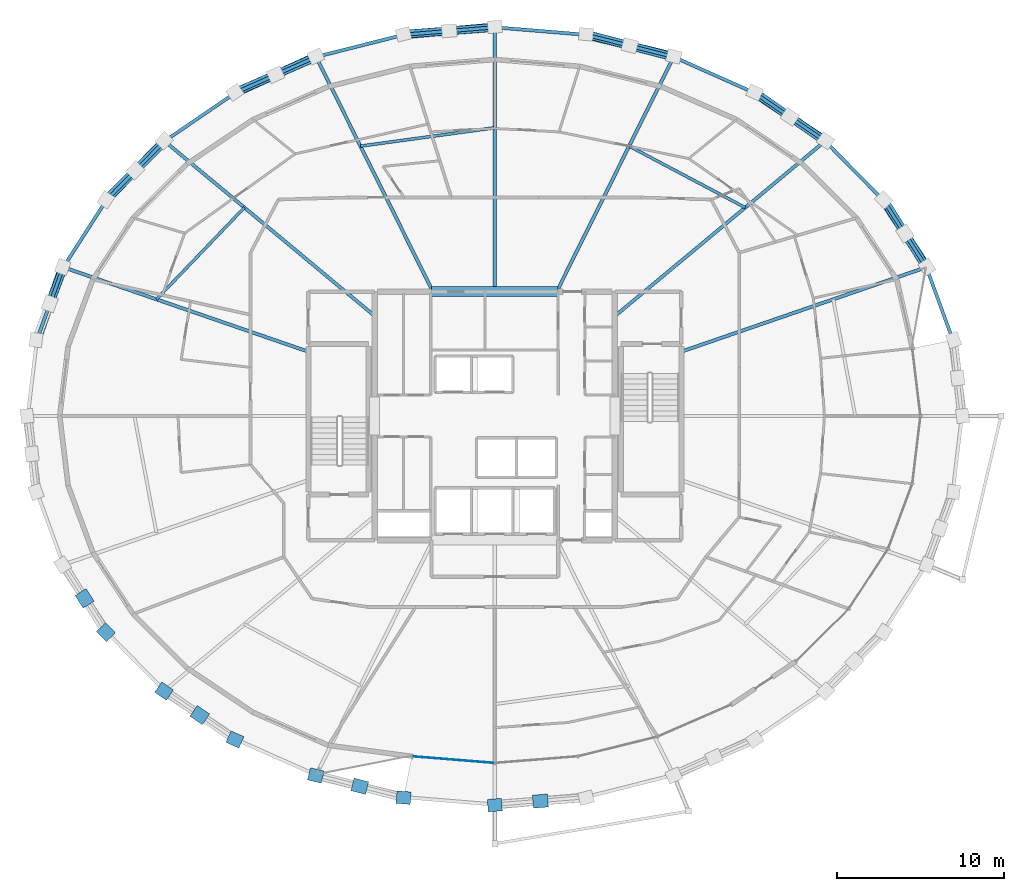
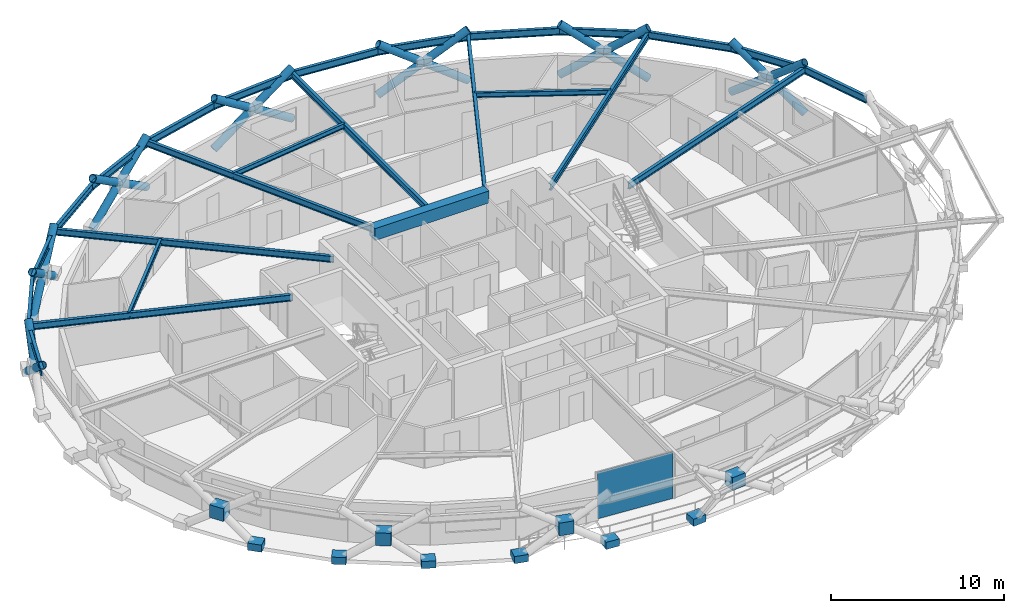
# One storey, part 12 of 20: 25 beams, 20 members, 11 plates, 1 element without a shape of its own.
"""IFC4 building model written with IfcOpenShell, lengths in metres."""

from ifc_helpers import new_model, si_unit, direction, frame, origin, origin_2d, place, context, subcontext, project, spatial, rectangle, hollow_circle, i_section, extrude, material, layer, layer_set, material_profile, profile_set, type_object, element, aggregate, save


model = new_model("IFC4")

# Units and contexts
model_context = context("Model", 3, precision=1e-05, world=origin(), true_north=direction((0.0, 1.0)))
body_context = subcontext(model_context, "Body", "Model", "MODEL_VIEW")
ifc_project = project(units=[si_unit("LENGTHUNIT", "METRE"), si_unit("AREAUNIT", "SQUARE_METRE"), si_unit("VOLUMEUNIT", "CUBIC_METRE"), si_unit("PLANEANGLEUNIT", "RADIAN"), si_unit("MASSUNIT", "GRAM", prefix="KILO")], contexts=[model_context])

# Site, building, storey
site_placement = place(None, origin())
site = spatial("IfcSite", under=ifc_project, at=site_placement, CompositionType="ELEMENT")
building_placement = place(site_placement, origin())
building = spatial("IfcBuilding", under=site, at=building_placement, Name="Veldorina Hangang Commons", CompositionType="ELEMENT")
storey_placement = place(building_placement, frame((0.0, 0.0, 171.199951171875)))
storey = spatial("IfcBuildingStorey", under=building, at=storey_placement, Name="L44", CompositionType="ELEMENT", Elevation=171.199951171875)

# Beams
ifc_material_1 = material(Name="Concrete C60/75", Category="concrete")
ifc_material_profile_1 = material_profile(ifc_material_1, rectangle(XDim=0.60009765625, YDim=0.85009765625, at=origin_2d()), Name="RC-CB-600x850")
ifc_profile_set_1 = profile_set([ifc_material_profile_1], Name="Concrete C60/75")
beam_type_1 = type_object("IfcBeamType", Name="BM-CB850", PredefinedType="LINTEL", material=ifc_profile_set_1)
beam_1_placement = place(storey_placement, frame((28.199951171875, 31.449951171875, 2.925048828125), z_axis=(1.0, 0.0, 0.0), x_axis=(0.0, 1.0, 0.0)))
element("IfcBeam", 1, at=beam_1_placement, inside=storey, type_object=beam_type_1, Name="L44 north core coupling beam", PredefinedType="LINTEL", context=body_context, shape_type="SweptSolid", body=[
    extrude(rectangle(XDim=0.60009765625, YDim=0.85009765625, at=origin_2d()), origin(), (0.0, 0.0, 1.0), 7.60009765625),
])
ifc_material_2 = material(Name="Steel SM355-TMC", Category="steel")
ifc_material_profile_2 = material_profile(ifc_material_2, i_section(OverallWidth=0.199951171875, OverallDepth=0.449951171875, WebThickness=0.009033203125, FlangeThickness=0.013916015625, FilletRadius=0.01611328125, at=origin_2d()), Name="H-450x200x9x14")
ifc_profile_set_2 = profile_set([ifc_material_profile_2], Name="Steel SM355-TMC")
beam_type_2 = type_object("IfcBeamType", Name="BM-FG450", PredefinedType="BEAM", material=ifc_profile_set_2)
beam_2_placement = place(storey_placement, frame((43.179931640625, 27.853515625, 3.125), z_axis=(0.945422212633, 0.325847878403, 0.0), x_axis=(-0.325847878403, 0.945422212633, 0.0)))
element("IfcBeam", 2, at=beam_2_placement, inside=storey, type_object=beam_type_2, Name="L44 radial floor girder 02", PredefinedType="BEAM", context=body_context, shape_type="SweptSolid", body=[
    extrude(i_section(OverallWidth=0.199951171875, OverallDepth=0.449951171875, WebThickness=0.009033203125, FlangeThickness=0.013916015625, FilletRadius=0.01611328125, at=origin_2d()), origin(), (0.0, 0.0, 1.0), 15.543212890625),
])
beam_3_placement = place(storey_placement, frame((39.199951171875, 29.9912109375, 3.125), z_axis=(0.768681197579, 0.639632094636, 0.0), x_axis=(-0.639632094636, 0.768681197579, 0.0)))
element("IfcBeam", 3, at=beam_3_placement, inside=storey, type_object=beam_type_2, Name="L44 radial floor girder 03", PredefinedType="BEAM", context=body_context, shape_type="SweptSolid", body=[
    extrude(i_section(OverallWidth=0.199951171875, OverallDepth=0.449951171875, WebThickness=0.009033203125, FlangeThickness=0.013916015625, FilletRadius=0.01611328125, at=origin_2d()), origin(), (0.0, 0.0, 1.0), 16.396484375),
])
beam_4_placement = place(storey_placement, frame((35.70849609375, 31.449951171875, 3.125), z_axis=(0.445617236074, 0.895223591576, 0.0), x_axis=(-0.895223591576, 0.445617236074, 0.0)))
element("IfcBeam", 4, at=beam_4_placement, inside=storey, type_object=beam_type_2, Name="L44 radial floor girder 04", PredefinedType="BEAM", context=body_context, shape_type="SweptSolid", body=[
    extrude(i_section(OverallWidth=0.199951171875, OverallDepth=0.449951171875, WebThickness=0.009033203125, FlangeThickness=0.013916015625, FilletRadius=0.01611328125, at=origin_2d()), origin(), (0.0, 0.0, 1.0), 15.728759765625),
])
beam_5_placement = place(storey_placement, frame((32.0, 31.449951171875, 3.125), z_axis=(0.0, 1.0, 0.0), x_axis=(-1.0, 0.0, 0.0)))
element("IfcBeam", 5, at=beam_5_placement, inside=storey, type_object=beam_type_2, Name="L44 radial floor girder 05", PredefinedType="BEAM", context=body_context, shape_type="SweptSolid", body=[
    extrude(i_section(OverallWidth=0.199951171875, OverallDepth=0.449951171875, WebThickness=0.009033203125, FlangeThickness=0.013916015625, FilletRadius=0.01611328125, at=origin_2d()), origin(), (0.0, 0.0, 1.0), 15.854736328125),
])
beam_6_placement = place(storey_placement, frame((28.29150390625, 31.449951171875, 3.125), z_axis=(-0.445617236074, 0.895223591576, 0.0), x_axis=(-0.895223591576, -0.445617236074, 0.0)))
element("IfcBeam", 6, at=beam_6_placement, inside=storey, type_object=beam_type_2, Name="L44 radial floor girder 06", PredefinedType="BEAM", context=body_context, shape_type="SweptSolid", body=[
    extrude(i_section(OverallWidth=0.199951171875, OverallDepth=0.449951171875, WebThickness=0.009033203125, FlangeThickness=0.013916015625, FilletRadius=0.01611328125, at=origin_2d()), origin(), (0.0, 0.0, 1.0), 15.728759765625),
])
beam_7_placement = place(storey_placement, frame((24.800048828125, 29.9912109375, 3.125), z_axis=(-0.768681197579, 0.639632094636, 0.0), x_axis=(-0.639632094636, -0.768681197579, 0.0)))
element("IfcBeam", 7, at=beam_7_placement, inside=storey, type_object=beam_type_2, Name="L44 radial floor girder 07", PredefinedType="BEAM", context=body_context, shape_type="SweptSolid", body=[
    extrude(i_section(OverallWidth=0.199951171875, OverallDepth=0.449951171875, WebThickness=0.009033203125, FlangeThickness=0.013916015625, FilletRadius=0.01611328125, at=origin_2d()), origin(), (0.0, 0.0, 1.0), 16.396484375),
])
beam_8_placement = place(storey_placement, frame((20.820068359375, 27.853515625, 3.125), z_axis=(-0.945422212633, 0.325847878403, 0.0), x_axis=(-0.325847878403, -0.945422212633, 0.0)))
element("IfcBeam", 8, at=beam_8_placement, inside=storey, type_object=beam_type_2, Name="L44 radial floor girder 08", PredefinedType="BEAM", context=body_context, shape_type="SweptSolid", body=[
    extrude(i_section(OverallWidth=0.199951171875, OverallDepth=0.449951171875, WebThickness=0.009033203125, FlangeThickness=0.013916015625, FilletRadius=0.01611328125, at=origin_2d()), origin(), (0.0, 0.0, 1.0), 15.543212890625),
])
ifc_material_profile_3 = material_profile(ifc_material_2, i_section(OverallWidth=0.175048828125, OverallDepth=0.35009765625, WebThickness=0.007080078125, FlangeThickness=0.010986328125, FilletRadius=0.012939453125, at=origin_2d()), Name="H-350x175x7x11")
ifc_profile_set_3 = profile_set([ifc_material_profile_3], Name="Steel SM355-TMC")
beam_type_3 = type_object("IfcBeamType", Name="BM-JST350", PredefinedType="JOIST", material=ifc_profile_set_3)
beam_9_placement = place(storey_placement, frame((47.014404296875, 36.49365234375, 3.175048828125), z_axis=(-0.883710996813, 0.468032984001, 0.0), x_axis=(-0.468032984001, -0.883710996813, 0.0)))
element("IfcBeam", 9, at=beam_9_placement, inside=storey, type_object=beam_type_3, Name="L44 secondary floor joist 03", PredefinedType="JOIST", context=body_context, shape_type="SweptSolid", body=[
    extrude(i_section(OverallWidth=0.175048828125, OverallDepth=0.35009765625, WebThickness=0.007080078125, FlangeThickness=0.010986328125, FilletRadius=0.012939453125, at=origin_2d()), origin(), (0.0, 0.0, 1.0), 7.876220703125),
])
beam_10_placement = place(storey_placement, frame((32.0, 41.27978515625, 3.175048828125), z_axis=(-0.990804563945, -0.135300835422, 0.0), x_axis=(0.135300835422, -0.990804563945, 0.0)))
element("IfcBeam", 10, at=beam_10_placement, inside=storey, type_object=beam_type_3, Name="L44 secondary floor joist 05", PredefinedType="JOIST", context=body_context, shape_type="SweptSolid", body=[
    extrude(i_section(OverallWidth=0.175048828125, OverallDepth=0.35009765625, WebThickness=0.007080078125, FlangeThickness=0.010986328125, FilletRadius=0.012939453125, at=origin_2d()), origin(), (0.0, 0.0, 1.0), 8.12890625),
])
beam_11_placement = place(storey_placement, frame((16.985595703125, 36.49365234375, 3.175048828125), z_axis=(-0.692283743029, -0.72162540084, 0.0), x_axis=(0.72162540084, -0.692283743029, 0.0)))
element("IfcBeam", 11, at=beam_11_placement, inside=storey, type_object=beam_type_3, Name="L44 secondary floor joist 07", PredefinedType="JOIST", context=body_context, shape_type="SweptSolid", body=[
    extrude(i_section(OverallWidth=0.175048828125, OverallDepth=0.35009765625, WebThickness=0.007080078125, FlangeThickness=0.010986328125, FilletRadius=0.012939453125, at=origin_2d()), origin(), (0.0, 0.0, 1.0), 7.62158203125),
])
ifc_material_3 = material(Name="Steel SM420-TMC", Category="steel")
ifc_material_profile_4 = material_profile(ifc_material_3, i_section(OverallWidth=0.199951171875, OverallDepth=0.5, WebThickness=0.010009765625, FlangeThickness=0.01611328125, FilletRadius=0.01611328125, at=origin_2d()), Name="H-500x200x10x16")
ifc_profile_set_4 = profile_set([ifc_material_profile_4], Name="Steel SM420-TMC")
beam_type_4 = type_object("IfcBeamType", Name="BM-RB500", PredefinedType="BEAM", material=ifc_profile_set_4)
beam_12_placement = place(storey_placement, frame((59.468505859375, 28.54638671875, 3.10009765625), z_axis=(-0.342501226622, 0.939517381299, 0.0), x_axis=(-0.939517381299, -0.342501226622, 0.0)))
element("IfcBeam", 12, at=beam_12_placement, inside=storey, type_object=beam_type_4, Name="L44 perimeter hoop ring beam 01", PredefinedType="BEAM", context=body_context, shape_type="SweptSolid", body=[
    extrude(i_section(OverallWidth=0.199951171875, OverallDepth=0.5, WebThickness=0.010009765625, FlangeThickness=0.01611328125, FilletRadius=0.01611328125, at=origin_2d()), origin(), (0.0, 0.0, 1.0), 4.6533203125),
])
beam_13_placement = place(storey_placement, frame((57.874755859375, 32.918212890625, 3.10009765625), z_axis=(-0.540443205104, 0.841380497787, 0.0), x_axis=(-0.841380497787, -0.540443205104, 0.0)))
element("IfcBeam", 13, at=beam_13_placement, inside=storey, type_object=beam_type_4, Name="L44 perimeter hoop ring beam 02", PredefinedType="BEAM", context=body_context, shape_type="SweptSolid", body=[
    extrude(i_section(OverallWidth=0.199951171875, OverallDepth=0.5, WebThickness=0.010009765625, FlangeThickness=0.01611328125, FilletRadius=0.01611328125, at=origin_2d()), origin(), (0.0, 0.0, 1.0), 4.788818359375),
])
beam_14_placement = place(storey_placement, frame((55.28662109375, 36.947509765625, 3.10009765625), z_axis=(-0.702192292569, 0.711987348382, 0.0), x_axis=(-0.711987348382, -0.702192292569, 0.0)))
element("IfcBeam", 14, at=beam_14_placement, inside=storey, type_object=beam_type_4, Name="L44 perimeter hoop ring beam 03", PredefinedType="BEAM", context=body_context, shape_type="SweptSolid", body=[
    extrude(i_section(OverallWidth=0.199951171875, OverallDepth=0.5, WebThickness=0.010009765625, FlangeThickness=0.01611328125, FilletRadius=0.01611328125, at=origin_2d()), origin(), (0.0, 0.0, 1.0), 4.9599609375),
])
beam_15_placement = place(storey_placement, frame((51.8037109375, 40.47900390625, 3.10009765625), z_axis=(-0.82580799699, 0.563951373886, 0.0), x_axis=(-0.563951373886, -0.82580799699, 0.0)))
element("IfcBeam", 15, at=beam_15_placement, inside=storey, type_object=beam_type_4, Name="L44 perimeter hoop ring beam 04", PredefinedType="BEAM", context=body_context, shape_type="SweptSolid", body=[
    extrude(i_section(OverallWidth=0.199951171875, OverallDepth=0.5, WebThickness=0.010009765625, FlangeThickness=0.01611328125, FilletRadius=0.01611328125, at=origin_2d()), origin(), (0.0, 0.0, 1.0), 5.13916015625),
])
beam_16_placement = place(storey_placement, frame((47.559814453125, 43.377197265625, 3.10009765625), z_axis=(-0.913710836046, 0.406364993685, 0.0), x_axis=(-0.406364993685, -0.913710836046, 0.0)))
element("IfcBeam", 16, at=beam_16_placement, inside=storey, type_object=beam_type_4, Name="L44 perimeter hoop ring beam 05", PredefinedType="BEAM", context=body_context, shape_type="SweptSolid", body=[
    extrude(i_section(OverallWidth=0.199951171875, OverallDepth=0.5, WebThickness=0.010009765625, FlangeThickness=0.01611328125, FilletRadius=0.01611328125, at=origin_2d()), origin(), (0.0, 0.0, 1.0), 5.299560546875),
])
beam_17_placement = place(storey_placement, frame((42.717529296875, 45.53076171875, 3.10009765625), z_axis=(-0.969586031209, 0.244750746853, 0.0), x_axis=(-0.244750746853, -0.969586031209, 0.0)))
element("IfcBeam", 17, at=beam_17_placement, inside=storey, type_object=beam_type_4, Name="L44 perimeter hoop ring beam 06", PredefinedType="BEAM", context=body_context, shape_type="SweptSolid", body=[
    extrude(i_section(OverallWidth=0.199951171875, OverallDepth=0.5, WebThickness=0.010009765625, FlangeThickness=0.01611328125, FilletRadius=0.01611328125, at=origin_2d()), origin(), (0.0, 0.0, 1.0), 5.41845703125),
])
for number, where, z_axis, x_axis, name in (
    (18, (37.4638671875, 46.85693359375, 3.10009765625), (-0.996659066529, 0.08167438463, 0.0), (-0.08167438463, -0.996659066529, 0.0), "L44 perimeter hoop ring beam 07"),
    (19, (32.0, 47.3046875, 3.10009765625), (-0.996659066529, -0.08167438463, 0.0), (0.08167438463, -0.996659066529, 0.0), "L44 perimeter hoop ring beam 08"),
):
    element("IfcBeam", number, at=place(storey_placement, frame(where, z_axis=z_axis, x_axis=x_axis)), inside=storey, type_object=beam_type_4, Name=name, PredefinedType="BEAM", context=body_context, shape_type="SweptSolid", body=[
        extrude(i_section(OverallWidth=0.199951171875, OverallDepth=0.5, WebThickness=0.010009765625, FlangeThickness=0.01611328125, FilletRadius=0.01611328125, at=origin_2d()), origin(), (0.0, 0.0, 1.0), 5.482177734375),
    ])
beam_18_placement = place(storey_placement, frame((26.5361328125, 46.85693359375, 3.10009765625), z_axis=(-0.969586031209, -0.244750746853, 0.0), x_axis=(0.244750746853, -0.969586031209, 0.0)))
element("IfcBeam", 20, at=beam_18_placement, inside=storey, type_object=beam_type_4, Name="L44 perimeter hoop ring beam 09", PredefinedType="BEAM", context=body_context, shape_type="SweptSolid", body=[
    extrude(i_section(OverallWidth=0.199951171875, OverallDepth=0.5, WebThickness=0.010009765625, FlangeThickness=0.01611328125, FilletRadius=0.01611328125, at=origin_2d()), origin(), (0.0, 0.0, 1.0), 5.41845703125),
])
beam_19_placement = place(storey_placement, frame((21.282470703125, 45.53076171875, 3.10009765625), z_axis=(-0.913710836046, -0.406364993685, 0.0), x_axis=(0.406364993685, -0.913710836046, 0.0)))
element("IfcBeam", 21, at=beam_19_placement, inside=storey, type_object=beam_type_4, Name="L44 perimeter hoop ring beam 10", PredefinedType="BEAM", context=body_context, shape_type="SweptSolid", body=[
    extrude(i_section(OverallWidth=0.199951171875, OverallDepth=0.5, WebThickness=0.010009765625, FlangeThickness=0.01611328125, FilletRadius=0.01611328125, at=origin_2d()), origin(), (0.0, 0.0, 1.0), 5.299560546875),
])
beam_20_placement = place(storey_placement, frame((16.440185546875, 43.377197265625, 3.10009765625), z_axis=(-0.82580799699, -0.563951373886, 0.0), x_axis=(0.563951373886, -0.82580799699, 0.0)))
element("IfcBeam", 22, at=beam_20_placement, inside=storey, type_object=beam_type_4, Name="L44 perimeter hoop ring beam 11", PredefinedType="BEAM", context=body_context, shape_type="SweptSolid", body=[
    extrude(i_section(OverallWidth=0.199951171875, OverallDepth=0.5, WebThickness=0.010009765625, FlangeThickness=0.01611328125, FilletRadius=0.01611328125, at=origin_2d()), origin(), (0.0, 0.0, 1.0), 5.13916015625),
])
beam_21_placement = place(storey_placement, frame((12.1962890625, 40.47900390625, 3.10009765625), z_axis=(-0.702192292569, -0.711987348382, 0.0), x_axis=(0.711987348382, -0.702192292569, 0.0)))
element("IfcBeam", 23, at=beam_21_placement, inside=storey, type_object=beam_type_4, Name="L44 perimeter hoop ring beam 12", PredefinedType="BEAM", context=body_context, shape_type="SweptSolid", body=[
    extrude(i_section(OverallWidth=0.199951171875, OverallDepth=0.5, WebThickness=0.010009765625, FlangeThickness=0.01611328125, FilletRadius=0.01611328125, at=origin_2d()), origin(), (0.0, 0.0, 1.0), 4.9599609375),
])
beam_22_placement = place(storey_placement, frame((8.71337890625, 36.947509765625, 3.10009765625), z_axis=(-0.540443205104, -0.841380497787, 0.0), x_axis=(0.841380497787, -0.540443205104, 0.0)))
element("IfcBeam", 24, at=beam_22_placement, inside=storey, type_object=beam_type_4, Name="L44 perimeter hoop ring beam 13", PredefinedType="BEAM", context=body_context, shape_type="SweptSolid", body=[
    extrude(i_section(OverallWidth=0.199951171875, OverallDepth=0.5, WebThickness=0.010009765625, FlangeThickness=0.01611328125, FilletRadius=0.01611328125, at=origin_2d()), origin(), (0.0, 0.0, 1.0), 4.788818359375),
])
beam_23_placement = place(storey_placement, frame((6.125244140625, 32.918212890625, 3.10009765625), z_axis=(-0.342501226622, -0.939517381299, 0.0), x_axis=(0.939517381299, -0.342501226622, 0.0)))
element("IfcBeam", 25, at=beam_23_placement, inside=storey, type_object=beam_type_4, Name="L44 perimeter hoop ring beam 14", PredefinedType="BEAM", context=body_context, shape_type="SweptSolid", body=[
    extrude(i_section(OverallWidth=0.199951171875, OverallDepth=0.5, WebThickness=0.010009765625, FlangeThickness=0.01611328125, FilletRadius=0.01611328125, at=origin_2d()), origin(), (0.0, 0.0, 1.0), 4.6533203125),
])

# Members
ifc_material_profile_5 = material_profile(ifc_material_3, hollow_circle(Radius=0.25, WallThickness=0.02490234375, at=origin_2d()), Name="CHS-500x25")
ifc_profile_set_5 = profile_set([ifc_material_profile_5], Name="Steel SM420-TMC")
member_type = type_object("IfcMemberType", Name="DG-CHS500", PredefinedType="BRACE", material=ifc_profile_set_5)
member_1_placement = place(storey_placement, frame((57.912841796875, 32.92919921875, 0.0), z_axis=(-0.438563143336, 0.669154599406, 0.599912069725), x_axis=(-0.836374310941, -0.548158747078, 0.0)))
element("IfcMember", 26, at=member_1_placement, inside=storey, type_object=member_type, Name="L44 continuous perimeter diagrid brace 02", PredefinedType="BRACE", context=body_context, shape_type="SweptSolid", body=[
    extrude(hollow_circle(Radius=0.25, WallThickness=0.02490234375, at=origin_2d()), origin(), (0.0, 0.0, 1.0), 6.0009765625),
])
member_2_placement = place(storey_placement, frame((55.32080078125, 36.96337890625, 0.0), z_axis=(0.425742622907, -0.675987664516, 0.601484743333), x_axis=(0.846164677124, 0.532921513158, 0.0)))
element("IfcMember", 27, at=member_2_placement, inside=storey, type_object=member_type, Name="L44 split perimeter diagrid lower brace 03", PredefinedType="BRACE", context=body_context, shape_type="SweptSolid", body=[
    extrude(hollow_circle(Radius=0.25, WallThickness=0.02490234375, at=origin_2d()), origin(), (0.0, 0.0, 1.0), 2.9951171875),
])
member_3_placement = place(storey_placement, frame((56.595947265625, 34.938720703125, 1.801513671875), z_axis=(0.425560028693, -0.676177578681, 0.60140048559), x_axis=(0.846335202585, 0.532650659311, 0.0)))
element("IfcMember", 28, at=member_3_placement, inside=storey, type_object=member_type, Name="L44 split perimeter diagrid upper brace 03", PredefinedType="BRACE", context=body_context, shape_type="SweptSolid", body=[
    extrude(hollow_circle(Radius=0.25, WallThickness=0.02490234375, at=origin_2d()), origin(), (0.0, 0.0, 1.0), 2.99072265625),
])
member_4_placement = place(storey_placement, frame((51.832763671875, 40.499267578125, 0.0), z_axis=(-0.680391582846, 0.457219415074, 0.572728295505), x_axis=(-0.557757921372, -0.830003675382, 0.0)))
element("IfcMember", 29, at=member_4_placement, inside=storey, type_object=member_type, Name="L44 continuous perimeter diagrid brace 04", PredefinedType="BRACE", context=body_context, shape_type="SweptSolid", body=[
    extrude(hollow_circle(Radius=0.25, WallThickness=0.02490234375, at=origin_2d()), origin(), (0.0, 0.0, 1.0), 6.285888671875),
])
member_5_placement = place(storey_placement, frame((47.58251953125, 43.401123046875, 0.0), z_axis=(0.67267093455, -0.466581308878, 0.574295826223), x_axis=(0.569941408012, 0.821685336022, 0.0)))
element("IfcMember", 30, at=member_5_placement, inside=storey, type_object=member_type, Name="L44 split perimeter diagrid lower brace 05", PredefinedType="BRACE", context=body_context, shape_type="SweptSolid", body=[
    extrude(hollow_circle(Radius=0.25, WallThickness=0.02490234375, at=origin_2d()), origin(), (0.0, 0.0, 1.0), 3.136962890625),
])
member_6_placement = place(storey_placement, frame((49.692626953125, 41.9375, 1.801513671875), z_axis=(0.672563347593, -0.466772059039, 0.57426682681), x_axis=(0.570160246293, 0.821533501172, 0.0)))
element("IfcMember", 31, at=member_6_placement, inside=storey, type_object=member_type, Name="L44 split perimeter diagrid upper brace 05", PredefinedType="BRACE", context=body_context, shape_type="SweptSolid", body=[
    extrude(hollow_circle(Radius=0.25, WallThickness=0.02490234375, at=origin_2d()), origin(), (0.0, 0.0, 1.0), 3.132080078125),
])
member_7_placement = place(storey_placement, frame((42.7333984375, 45.557373046875, 0.0), z_axis=(-0.809287111733, 0.198816991229, 0.552744221844), x_axis=(-0.238575342668, -0.971123990987, 0.0)))
element("IfcMember", 32, at=member_7_placement, inside=storey, type_object=member_type, Name="L44 continuous perimeter diagrid brace 06", PredefinedType="BRACE", context=body_context, shape_type="SweptSolid", body=[
    extrude(hollow_circle(Radius=0.25, WallThickness=0.02490234375, at=origin_2d()), origin(), (0.0, 0.0, 1.0), 6.51318359375),
])
member_8_placement = place(storey_placement, frame((37.471923828125, 46.88525390625, 0.0), z_axis=(0.806192585807, -0.208918428536, 0.553540066127), x_axis=(0.250855874673, 0.968024447079, 0.0)))
element("IfcMember", 33, at=member_8_placement, inside=storey, type_object=member_type, Name="L44 split perimeter diagrid lower brace 07", PredefinedType="BRACE", context=body_context, shape_type="SweptSolid", body=[
    extrude(hollow_circle(Radius=0.25, WallThickness=0.02490234375, at=origin_2d()), origin(), (0.0, 0.0, 1.0), 3.254638671875),
])
member_9_placement = place(storey_placement, frame((40.095703125, 46.205322265625, 1.801513671875), z_axis=(0.806172137004, -0.20896306394, 0.553552999656), x_axis=(0.250912059951, 0.968009885369, 0.0)))
element("IfcMember", 34, at=member_9_placement, inside=storey, type_object=member_type, Name="L44 split perimeter diagrid upper brace 07", PredefinedType="BRACE", context=body_context, shape_type="SweptSolid", body=[
    extrude(hollow_circle(Radius=0.25, WallThickness=0.02490234375, at=origin_2d()), origin(), (0.0, 0.0, 1.0), 3.249267578125),
])
member_10_placement = place(storey_placement, frame((32.0, 47.33349609375, 0.0), z_axis=(-0.832717176364, -0.073356822857, 0.548817711749), x_axis=(0.087753478152, -0.996142222312, 0.0)))
element("IfcMember", 35, at=member_10_placement, inside=storey, type_object=member_type, Name="L44 continuous perimeter diagrid brace 08", PredefinedType="BRACE", context=body_context, shape_type="SweptSolid", body=[
    extrude(hollow_circle(Radius=0.25, WallThickness=0.02490234375, at=origin_2d()), origin(), (0.0, 0.0, 1.0), 6.559814453125),
])
member_11_placement = place(storey_placement, frame((26.528076171875, 46.88525390625, 0.0), z_axis=(0.833745976491, 0.063185099859, 0.548521002187), x_axis=(-0.075567899395, 0.997140658373, 0.0)))
element("IfcMember", 36, at=member_11_placement, inside=storey, type_object=member_type, Name="L44 split perimeter diagrid lower brace 09", PredefinedType="BRACE", context=body_context, shape_type="SweptSolid", body=[
    extrude(hollow_circle(Radius=0.25, WallThickness=0.02490234375, at=origin_2d()), origin(), (0.0, 0.0, 1.0), 3.284423828125),
])
member_12_placement = place(storey_placement, frame((29.266357421875, 47.0927734375, 1.801513671875), z_axis=(0.833727220811, 0.063216433908, 0.548545899412), x_axis=(-0.075606851131, 0.997137705667, 0.0)))
element("IfcMember", 37, at=member_12_placement, inside=storey, type_object=member_type, Name="L44 split perimeter diagrid upper brace 09", PredefinedType="BRACE", context=body_context, shape_type="SweptSolid", body=[
    extrude(hollow_circle(Radius=0.25, WallThickness=0.02490234375, at=origin_2d()), origin(), (0.0, 0.0, 1.0), 3.27880859375),
])
member_13_placement = place(storey_placement, frame((21.2666015625, 45.557373046875, 0.0), z_axis=(-0.753264163054, -0.341148240909, 0.56232639844), x_axis=(0.412555208384, -0.910932599063, 0.0)))
element("IfcMember", 38, at=member_13_placement, inside=storey, type_object=member_type, Name="L44 continuous perimeter diagrid brace 10", PredefinedType="BRACE", context=body_context, shape_type="SweptSolid", body=[
    extrude(hollow_circle(Radius=0.25, WallThickness=0.02490234375, at=origin_2d()), origin(), (0.0, 0.0, 1.0), 6.402099609375),
])
member_14_placement = place(storey_placement, frame((16.41748046875, 43.401123046875, 0.0), z_axis=(0.758633315779, 0.331146445847, 0.561086021563), x_axis=(-0.400052486902, 0.91649223004, 0.0)))
element("IfcMember", 39, at=member_14_placement, inside=storey, type_object=member_type, Name="L44 split perimeter diagrid lower brace 11", PredefinedType="BRACE", context=body_context, shape_type="SweptSolid", body=[
    extrude(hollow_circle(Radius=0.25, WallThickness=0.02490234375, at=origin_2d()), origin(), (0.0, 0.0, 1.0), 3.210693359375),
])
member_15_placement = place(storey_placement, frame((18.853271484375, 44.46435546875, 1.801513671875), z_axis=(0.758568408716, 0.331302467662, 0.561081673395), x_axis=(-0.400239549144, 0.916410553901, 0.0)))
element("IfcMember", 40, at=member_15_placement, inside=storey, type_object=member_type, Name="L44 split perimeter diagrid upper brace 11", PredefinedType="BRACE", context=body_context, shape_type="SweptSolid", body=[
    extrude(hollow_circle(Radius=0.25, WallThickness=0.02490234375, at=origin_2d()), origin(), (0.0, 0.0, 1.0), 3.20556640625),
])
member_16_placement = place(storey_placement, frame((12.167236328125, 40.499267578125, 0.0), z_axis=(-0.563207155526, -0.580553170299, 0.588009962857), x_axis=(0.717748068823, -0.696302886466, 0.0)))
element("IfcMember", 41, at=member_16_placement, inside=storey, type_object=member_type, Name="L44 continuous perimeter diagrid brace 12", PredefinedType="BRACE", context=body_context, shape_type="SweptSolid", body=[
    extrude(hollow_circle(Radius=0.25, WallThickness=0.02490234375, at=origin_2d()), origin(), (0.0, 0.0, 1.0), 6.12255859375),
])
member_17_placement = place(storey_placement, frame((8.67919921875, 36.96337890625, 0.0), z_axis=(0.573632823481, 0.571964131239, 0.586346669132), x_axis=(-0.706076050699, 0.708136011391, 0.0)))
element("IfcMember", 42, at=member_17_placement, inside=storey, type_object=member_type, Name="L44 split perimeter diagrid lower brace 13", PredefinedType="BRACE", context=body_context, shape_type="SweptSolid", body=[
    extrude(hollow_circle(Radius=0.25, WallThickness=0.02490234375, at=origin_2d()), origin(), (0.0, 0.0, 1.0), 3.072509765625),
])
member_18_placement = place(storey_placement, frame((10.441650390625, 38.720703125, 1.801513671875), z_axis=(0.573520980932, 0.57208837232, 0.586334869071), x_axis=(-0.706221977076, 0.707990479523, 0.0)))
element("IfcMember", 43, at=member_18_placement, inside=storey, type_object=member_type, Name="L44 split perimeter diagrid upper brace 13", PredefinedType="BRACE", context=body_context, shape_type="SweptSolid", body=[
    extrude(hollow_circle(Radius=0.25, WallThickness=0.02490234375, at=origin_2d()), origin(), (0.0, 0.0, 1.0), 3.0673828125),
])
member_19_placement = place(storey_placement, frame((6.087158203125, 32.92919921875, 0.0), z_axis=(-0.263442353045, -0.745485807554, 0.612249162807), x_axis=(0.94285938372, -0.333190910036, 0.0)))
element("IfcMember", 44, at=member_19_placement, inside=storey, type_object=member_type, Name="L44 continuous perimeter diagrid brace 14", PredefinedType="BRACE", context=body_context, shape_type="SweptSolid", body=[
    extrude(hollow_circle(Radius=0.25, WallThickness=0.02490234375, at=origin_2d()), origin(), (0.0, 0.0, 1.0), 5.880126953125),
])
member_20_placement = place(storey_placement, frame((5.31201171875, 30.73583984375, 1.80126953125), z_axis=(0.278383277712, 0.740917591335, 0.611182357026), x_axis=(-0.936105023413, 0.351720606647, 0.0)))
element("IfcMember", 45, at=member_20_placement, inside=storey, type_object=member_type, Name="L44 split perimeter diagrid upper brace 15", PredefinedType="BRACE", context=body_context, shape_type="SweptSolid", body=[
    extrude(hollow_circle(Radius=0.25, WallThickness=0.02490234375, at=origin_2d()), origin(), (0.0, 0.0, 1.0), 2.943115234375),
])

# Curtain wall, plate
ifc_material_4 = material(Name="Glass Low-E Triple IGU", Category="glass")
ifc_layer_1 = layer(ifc_material_4, 0.179931640625)
ifc_layer_set_1 = layer_set([ifc_layer_1], Name="Glass Low-E Triple IGU")
curtain_wall_type = type_object("IfcCurtainWallType", Name="CW-SYS-Z2", PredefinedType="NOTDEFINED", material=ifc_layer_set_1)
curtain_wall_placement = place(storey_placement, origin())
curtain_wall = element("IfcCurtainWall", 46, at=curtain_wall_placement, inside=storey, type_object=curtain_wall_type, Name="L44 unitised curtain wall CW-L44-R1", PredefinedType="NOTDEFINED")
ifc_layer_2 = layer(ifc_material_4, 0.0400390625)
ifc_layer_set_2 = layer_set([ifc_layer_2], Name="Glass Low-E Triple IGU")
plate_type_1 = type_object("IfcPlateType", Name="CW-PNL-VIS", PredefinedType="CURTAIN_PANEL", material=ifc_layer_set_2)
plate_1_placement = place(storey_placement, frame((29.510009765625, 3.386474609375, 0.01513671875), z_axis=(0.0, 0.0, 1.0), x_axis=(0.996791463777, -0.08004234968, 0.0)))
plate_1 = element("IfcPlate", 47, at=plate_1_placement, type_object=plate_type_1, Name="CW-L44-R1 facet 1 glazed vision panel", PredefinedType="CURTAIN_PANEL", context=body_context, shape_type="SweptSolid", body=[
    extrude(rectangle(XDim=4.816162109375, YDim=0.0400390625, at=origin_2d()), origin(), (0.0, 0.0, 1.0), 3.280029296875),
])
aggregate(curtain_wall, [plate_1])

# Plates
ifc_material_5 = material(Name="Steel SM460-TMC", Category="steel")
ifc_layer_3 = layer(ifc_material_5, 0.035888671875)
ifc_layer_set_3 = layer_set([ifc_layer_3], Name="Steel SM460-TMC")
plate_type_2 = type_object("IfcPlateType", Name="PL-STAR-36", PredefinedType="USERDEFINED", material=ifc_layer_set_3)
plate_2_placement = place(storey_placement, frame((7.404052734375, 13.061279296875, 1.3515625), z_axis=(0.0, 0.0, 1.0), x_axis=(0.540548713994, -0.841312717008, 0.0)))
element("IfcPlate", 48, at=plate_2_placement, inside=storey, type_object=plate_type_2, Name="L44 diagrid X-crossing star-node gusset plate 18", ObjectType="GUSSET PLATE", PredefinedType="USERDEFINED", context=body_context, shape_type="SweptSolid", body=[
    extrude(rectangle(XDim=0.89990234375, YDim=0.780029296875, at=origin_2d()), origin(), (0.0, 0.0, 1.0), 0.89990234375),
])
for number, where, z_axis, x_axis, name in (
    (49, (8.67919921875, 11.03662109375, -0.08984375), (0.0, 0.0, 1.0), (0.702277314289, -0.711903486321, 0.0), "L44 diagrid star-node gusset plate 19"),
    (50, (12.167236328125, 7.500732421875, -0.08984375), (0.0, 0.0, 1.0), (0.825881855134, -0.563843206362, 0.0), "L44 diagrid star-node gusset plate 20"),
):
    element("IfcPlate", number, at=place(storey_placement, frame(where, z_axis=z_axis, x_axis=x_axis)), inside=storey, type_object=plate_type_2, Name=name, ObjectType="GUSSET PLATE", PredefinedType="USERDEFINED", context=body_context, shape_type="SweptSolid", body=[
        extrude(rectangle(XDim=0.85009765625, YDim=0.75, at=origin_2d()), origin(), (0.0, 0.0, 1.0), 0.5),
    ])
plate_3_placement = place(storey_placement, frame((14.307373046875, 6.0625, 1.3515625), z_axis=(0.0, 0.0, 1.0), x_axis=(0.825881855134, -0.563843206362, 0.0)))
element("IfcPlate", 51, at=plate_3_placement, inside=storey, type_object=plate_type_2, Name="L44 diagrid X-crossing star-node gusset plate 20", ObjectType="GUSSET PLATE", PredefinedType="USERDEFINED", context=body_context, shape_type="SweptSolid", body=[
    extrude(rectangle(XDim=0.89990234375, YDim=0.780029296875, at=origin_2d()), origin(), (0.0, 0.0, 1.0), 0.89990234375),
])
for number, where, z_axis, x_axis, name in (
    (52, (16.41748046875, 4.598876953125, -0.08984375), (0.0, 0.0, 1.0), (0.913737026329, -0.406306099776, 0.0), "L44 diagrid star-node gusset plate 21"),
    (53, (21.2666015625, 2.442626953125, -0.08984375), (0.0, 0.0, 1.0), (0.969595018763, -0.244715139682, 0.0), "L44 diagrid star-node gusset plate 22"),
):
    element("IfcPlate", number, at=place(storey_placement, frame(where, z_axis=z_axis, x_axis=x_axis)), inside=storey, type_object=plate_type_2, Name=name, ObjectType="GUSSET PLATE", PredefinedType="USERDEFINED", context=body_context, shape_type="SweptSolid", body=[
        extrude(rectangle(XDim=0.85009765625, YDim=0.75, at=origin_2d()), origin(), (0.0, 0.0, 1.0), 0.5),
    ])
plate_4_placement = place(storey_placement, frame((23.904296875, 1.794677734375, 1.3515625), z_axis=(0.0, 0.0, 1.0), x_axis=(0.969595018763, -0.244715139682, 0.0)))
element("IfcPlate", 54, at=plate_4_placement, inside=storey, type_object=plate_type_2, Name="L44 diagrid X-crossing star-node gusset plate 22", ObjectType="GUSSET PLATE", PredefinedType="USERDEFINED", context=body_context, shape_type="SweptSolid", body=[
    extrude(rectangle(XDim=0.89990234375, YDim=0.780029296875, at=origin_2d()), origin(), (0.0, 0.0, 1.0), 0.89990234375),
])
for number, where, z_axis, x_axis, name in (
    (55, (26.528076171875, 1.11474609375, -0.08984375), (0.0, 0.0, 1.0), (0.996660229506, -0.081660191777, 0.0), "L44 diagrid star-node gusset plate 23"),
    (56, (32.0, 0.66650390625, -0.08984375), (0.0, 0.0, 1.0), (0.996660229506, 0.081660191777, 0.0), "L44 diagrid star-node gusset plate 24"),
):
    element("IfcPlate", number, at=place(storey_placement, frame(where, z_axis=z_axis, x_axis=x_axis)), inside=storey, type_object=plate_type_2, Name=name, ObjectType="GUSSET PLATE", PredefinedType="USERDEFINED", context=body_context, shape_type="SweptSolid", body=[
        extrude(rectangle(XDim=0.85009765625, YDim=0.75, at=origin_2d()), origin(), (0.0, 0.0, 1.0), 0.5),
    ])
plate_5_placement = place(storey_placement, frame((34.733642578125, 0.9072265625, 1.3515625), z_axis=(0.0, 0.0, 1.0), x_axis=(0.996660229506, 0.081660191777, 0.0)))
element("IfcPlate", 57, at=plate_5_placement, inside=storey, type_object=plate_type_2, Name="L44 diagrid X-crossing star-node gusset plate 24", ObjectType="GUSSET PLATE", PredefinedType="USERDEFINED", context=body_context, shape_type="SweptSolid", body=[
    extrude(rectangle(XDim=0.89990234375, YDim=0.780029296875, at=origin_2d()), origin(), (0.0, 0.0, 1.0), 0.89990234375),
])

save(model, "model.ifc")
